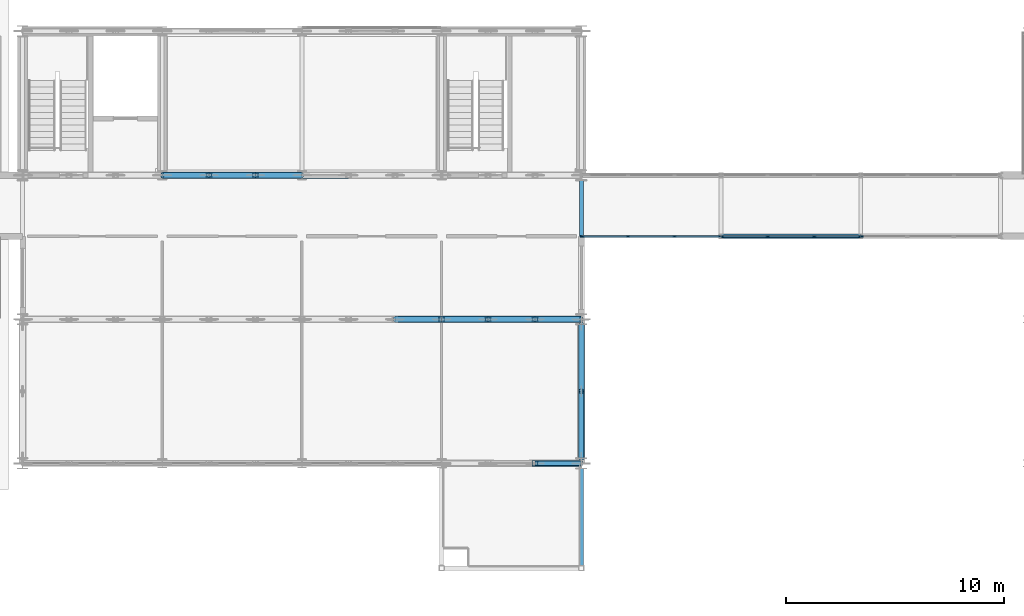
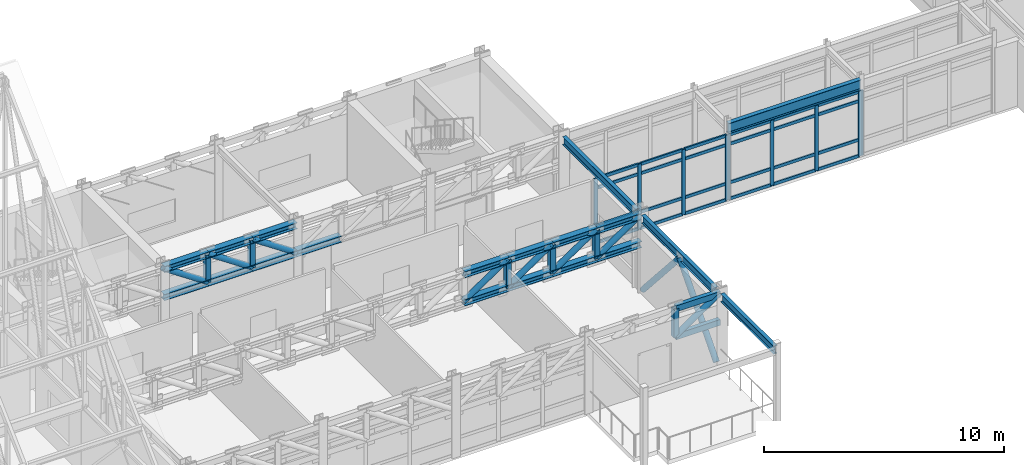
# One storey, part 65 of 144: 66 members, 4 beams, 3 elements without a shape of their own.
"""IFC4 building model written with IfcOpenShell, lengths in metres."""

from ifc_helpers import new_model, si_unit, direction, frame, origin, origin_2d, place, context, subcontext, project, spatial, rectangle, hollow_rectangle, hollow_circle, i_section, extrude, material, layer, layer_set, material_profile, profile_set, type_object, element, aggregate, save


model = new_model("IFC4")

# Units and contexts
model_context = context("Model", 3, precision=1e-05, world=origin(), true_north=direction((0.0, 1.0)))
body_context = subcontext(model_context, "Body", "Model", "MODEL_VIEW")
ifc_project = project(units=[si_unit("LENGTHUNIT", "METRE"), si_unit("AREAUNIT", "SQUARE_METRE"), si_unit("VOLUMEUNIT", "CUBIC_METRE"), si_unit("PLANEANGLEUNIT", "RADIAN"), si_unit("MASSUNIT", "GRAM", prefix="KILO")], contexts=[model_context])

# Site, building, storey
site_placement = place(None, origin())
site = spatial("IfcSite", under=ifc_project, at=site_placement, CompositionType="ELEMENT")
building_placement = place(site_placement, origin())
building = spatial("IfcBuilding", under=site, at=building_placement, Name="Trelmorton Wharf Fire Station", CompositionType="ELEMENT")
storey_placement = place(building_placement, frame((0.0, 0.0, 5.39990234375)))
storey = spatial("IfcBuildingStorey", under=building, at=storey_placement, Name="L01", CompositionType="ELEMENT", Elevation=5.39990234375)

# Beams
ifc_material_1 = material(Name="Steel Grade 350", Category="steel")
ifc_material_profile_1 = material_profile(ifc_material_1, i_section(OverallWidth=0.177978515625, OverallDepth=0.406005859375, WebThickness=0.0078125, FlangeThickness=0.0126953125, FilletRadius=0.011474609375, at=origin_2d()), Name="410UB59.7")
ifc_profile_set_1 = profile_set([ifc_material_profile_1], Name="Steel Grade 350")
beam_type_1 = type_object("IfcBeamType", Name="BM_410UB60", PredefinedType="BEAM", material=ifc_profile_set_1)
beam_1_placement = place(storey_placement, frame((83.60009765625, 3.12109375, 3.72705078125), z_axis=(0.0, 1.0, 0.0), x_axis=(-1.0, 0.0, 0.0)))
element("IfcBeam", 1, at=beam_1_placement, inside=storey, type_object=beam_type_1, Name="BM-L01-0601", PredefinedType="BEAM", context=body_context, shape_type="SweptSolid", body=[
    extrude(i_section(OverallWidth=0.177978515625, OverallDepth=0.406005859375, WebThickness=0.0078125, FlangeThickness=0.0126953125, FilletRadius=0.011474609375, at=origin_2d()), origin(), (0.0, 0.0, 1.0), 4.432861328125),
])
beam_2_placement = place(storey_placement, frame((83.60009765625, 8.0458984375, 3.72705078125), z_axis=(0.0, 1.0, 0.0), x_axis=(-1.0, 0.0, 0.0)))
element("IfcBeam", 2, at=beam_2_placement, inside=storey, type_object=beam_type_1, Name="BM-L01-0602", PredefinedType="BEAM", context=body_context, shape_type="SweptSolid", body=[
    extrude(i_section(OverallWidth=0.177978515625, OverallDepth=0.406005859375, WebThickness=0.0078125, FlangeThickness=0.0126953125, FilletRadius=0.011474609375, at=origin_2d()), origin(), (0.0, 0.0, 1.0), 6.108154296875),
])
beam_3_placement = place(storey_placement, frame((83.60009765625, 14.64599609375, 3.72705078125), z_axis=(0.0, 1.0, 0.0), x_axis=(-1.0, 0.0, 0.0)))
element("IfcBeam", 3, at=beam_3_placement, inside=storey, type_object=beam_type_1, Name="BM-L01-0603", PredefinedType="BEAM", context=body_context, shape_type="SweptSolid", body=[
    extrude(i_section(OverallWidth=0.177978515625, OverallDepth=0.406005859375, WebThickness=0.0078125, FlangeThickness=0.0126953125, FilletRadius=0.011474609375, at=origin_2d()), origin(), (0.0, 0.0, 1.0), 6.10791015625),
])
ifc_material_profile_2 = material_profile(ifc_material_1, i_section(OverallWidth=0.208984375, OverallDepth=0.528076171875, WebThickness=0.009521484375, FlangeThickness=0.01318359375, FilletRadius=0.013916015625, at=origin_2d()), Name="530UB82.0")
ifc_profile_set_2 = profile_set([ifc_material_profile_2], Name="Steel Grade 350")
beam_type_2 = type_object("IfcBeamType", Name="BM_530UB82", PredefinedType="BEAM", material=ifc_profile_set_2)
beam_4_placement = place(storey_placement, frame((90.00390625, 18.199951171875, 3.666015625), z_axis=(1.0, 0.0, 0.0), x_axis=(0.0, 1.0, 0.0)))
element("IfcBeam", 4, at=beam_4_placement, inside=storey, type_object=beam_type_2, Name="BM-L01-0434", PredefinedType="BEAM", context=body_context, shape_type="SweptSolid", body=[
    extrude(i_section(OverallWidth=0.208984375, OverallDepth=0.528076171875, WebThickness=0.009521484375, FlangeThickness=0.01318359375, FilletRadius=0.013916015625, at=origin_2d()), origin(), (0.0, 0.0, 1.0), 6.39208984375),
])

# Members
ifc_material_2 = material(Name="Steel C350L0 (350 MPa)", Category="steel")
ifc_material_profile_3 = material_profile(ifc_material_2, hollow_circle(Radius=0.136474609375, WallThickness=0.00927734375, at=origin_2d()), Name="273.1x9.3CHS")
ifc_profile_set_3 = profile_set([ifc_material_profile_3], Name="Steel C350L0 (350 MPa)")
member_type_1 = type_object("IfcMemberType", Name="BR_273CHS", PredefinedType="BRACE", material=ifc_profile_set_3)
for number, where, z_axis, x_axis, name in (
    (5, (83.60009765625, 8.047119140625, 0.1201171875), (0.0, 0.661630386629, 0.74983013509), (-1.0, 0.0, 0.0), "CBF-V3-E-L01-A"),
    (6, (83.60009765625, 14.153076171875, 0.1201171875), (0.0, -0.661630386629, 0.74983013509), (1.0, 0.0, 0.0), "CBF-V3-E-L01-B"),
):
    element("IfcMember", number, at=place(storey_placement, frame(where, z_axis=z_axis, x_axis=x_axis)), inside=storey, type_object=member_type_1, Name=name, PredefinedType="BRACE", context=body_context, shape_type="SweptSolid", body=[
        extrude(hollow_circle(Radius=0.136474609375, WallThickness=0.00927734375, at=origin_2d()), origin(), (0.0, 0.0, 1.0), 4.6142578125),
    ])

# Curtain wall, members
ifc_material_3 = material(Name="Anodised aluminium AW-6063", Category="aluminium")
ifc_layer = layer(ifc_material_3, 0.139892578125)
ifc_layer_set = layer_set([ifc_layer], Name="Anodised aluminium AW-6063")
curtain_wall_type = type_object("IfcCurtainWallType", Name="CW_BRDG_A", PredefinedType="USERDEFINED", material=ifc_layer_set)
curtain_wall_1_placement = place(storey_placement, origin())
curtain_wall_1 = element("IfcCurtainWall", 7, at=curtain_wall_1_placement, inside=storey, type_object=curtain_wall_type, Name="CW-BR-L01-154", ObjectType="UNITISED CURTAIN WALL", PredefinedType="USERDEFINED")
ifc_material_profile_4 = material_profile(ifc_material_3, rectangle(XDim=0.074951171875, YDim=0.175048828125, at=origin_2d()), Name="ALU-75x175")
ifc_profile_set_4 = profile_set([ifc_material_profile_4], Name="Anodised aluminium AW-6063")
member_type_2 = type_object("IfcMemberType", Name="CWM_75x175", PredefinedType="MULLION", material=ifc_profile_set_4)
member_1_placement = place(storey_placement, frame((89.965087890625, 18.199951171875, 0.0), z_axis=(0.0, 0.0, 1.0), x_axis=(0.0, -1.0, 0.0)))
member_1 = element("IfcMember", 8, at=member_1_placement, type_object=member_type_2, Name="CW4 mullion 1", PredefinedType="MULLION", context=body_context, shape_type="SweptSolid", body=[
    extrude(rectangle(XDim=0.074951171875, YDim=0.175048828125, at=origin_2d()), origin(), (0.0, 0.0, 1.0), 3.320068359375),
])
member_2_placement = place(storey_placement, frame((87.864990234375, 18.199951171875, 0.0), z_axis=(0.0, 0.0, 1.0), x_axis=(0.0, -1.0, 0.0)))
member_2 = element("IfcMember", 9, at=member_2_placement, type_object=member_type_2, Name="CW4 mullion 2", PredefinedType="MULLION", context=body_context, shape_type="SweptSolid", body=[
    extrude(rectangle(XDim=0.074951171875, YDim=0.175048828125, at=origin_2d()), origin(), (0.0, 0.0, 1.0), 3.320068359375),
])
member_3_placement = place(storey_placement, frame((85.735107421875, 18.199951171875, 0.0), z_axis=(0.0, 0.0, 1.0), x_axis=(0.0, -1.0, 0.0)))
member_3 = element("IfcMember", 10, at=member_3_placement, type_object=member_type_2, Name="CW4 mullion 3", PredefinedType="MULLION", context=body_context, shape_type="SweptSolid", body=[
    extrude(rectangle(XDim=0.074951171875, YDim=0.175048828125, at=origin_2d()), origin(), (0.0, 0.0, 1.0), 3.320068359375),
])
member_4_placement = place(storey_placement, frame((83.635009765625, 18.199951171875, 0.0), z_axis=(0.0, 0.0, 1.0), x_axis=(0.0, -1.0, 0.0)))
member_4 = element("IfcMember", 11, at=member_4_placement, type_object=member_type_2, Name="CW4 mullion 4", PredefinedType="MULLION", context=body_context, shape_type="SweptSolid", body=[
    extrude(rectangle(XDim=0.074951171875, YDim=0.175048828125, at=origin_2d()), origin(), (0.0, 0.0, 1.0), 3.320068359375),
])

curtain_wall_2_placement = place(storey_placement, origin())
curtain_wall_2 = element("IfcCurtainWall", 12, at=curtain_wall_2_placement, inside=storey, type_object=curtain_wall_type, Name="CW-BR-L01-156", ObjectType="UNITISED CURTAIN WALL", PredefinedType="USERDEFINED")
member_5_placement = place(storey_placement, frame((96.364990234375, 18.199951171875, 0.0), z_axis=(0.0, 0.0, 1.0), x_axis=(0.0, -1.0, 0.0)))
member_5 = element("IfcMember", 13, at=member_5_placement, type_object=member_type_2, Name="CW4 mullion 1", PredefinedType="MULLION", context=body_context, shape_type="SweptSolid", body=[
    extrude(rectangle(XDim=0.074951171875, YDim=0.175048828125, at=origin_2d()), origin(), (0.0, 0.0, 1.0), 3.320068359375),
])
member_6_placement = place(storey_placement, frame((94.264892578125, 18.199951171875, 0.0), z_axis=(0.0, 0.0, 1.0), x_axis=(0.0, -1.0, 0.0)))
member_6 = element("IfcMember", 14, at=member_6_placement, type_object=member_type_2, Name="CW4 mullion 2", PredefinedType="MULLION", context=body_context, shape_type="SweptSolid", body=[
    extrude(rectangle(XDim=0.074951171875, YDim=0.175048828125, at=origin_2d()), origin(), (0.0, 0.0, 1.0), 3.320068359375),
])
member_7_placement = place(storey_placement, frame((92.135009765625, 18.199951171875, 0.0), z_axis=(0.0, 0.0, 1.0), x_axis=(0.0, -1.0, 0.0)))
member_7 = element("IfcMember", 15, at=member_7_placement, type_object=member_type_2, Name="CW4 mullion 3", PredefinedType="MULLION", context=body_context, shape_type="SweptSolid", body=[
    extrude(rectangle(XDim=0.074951171875, YDim=0.175048828125, at=origin_2d()), origin(), (0.0, 0.0, 1.0), 3.320068359375),
])
member_8_placement = place(storey_placement, frame((90.034912109375, 18.199951171875, 0.0), z_axis=(0.0, 0.0, 1.0), x_axis=(0.0, -1.0, 0.0)))
member_8 = element("IfcMember", 16, at=member_8_placement, type_object=member_type_2, Name="CW4 mullion 4", PredefinedType="MULLION", context=body_context, shape_type="SweptSolid", body=[
    extrude(rectangle(XDim=0.074951171875, YDim=0.175048828125, at=origin_2d()), origin(), (0.0, 0.0, 1.0), 3.320068359375),
])

# Curtain wall, member
curtain_wall_3_placement = place(storey_placement, origin())
curtain_wall_3 = element("IfcCurtainWall", 17, at=curtain_wall_3_placement, inside=storey, type_object=curtain_wall_type, Name="CW-BR-L01-158", ObjectType="UNITISED CURTAIN WALL", PredefinedType="USERDEFINED")
member_9_placement = place(storey_placement, frame((96.43505859375, 18.199951171875, 0.0), z_axis=(0.0, 0.0, 1.0), x_axis=(0.0, -1.0, 0.0)))
member_9 = element("IfcMember", 18, at=member_9_placement, type_object=member_type_2, Name="CW4 mullion 4", PredefinedType="MULLION", context=body_context, shape_type="SweptSolid", body=[
    extrude(rectangle(XDim=0.074951171875, YDim=0.175048828125, at=origin_2d()), origin(), (0.0, 0.0, 1.0), 3.320068359375),
])
aggregate(curtain_wall_3, [member_9])

# Member
ifc_material_profile_5 = material_profile(ifc_material_3, rectangle(XDim=0.074951171875, YDim=0.155029296875, at=origin_2d()), Name="ALU-75x155")
ifc_profile_set_5 = profile_set([ifc_material_profile_5], Name="Anodised aluminium AW-6063")
member_type_3 = type_object("IfcMemberType", Name="CWT_75x155", PredefinedType="USERDEFINED", material=ifc_profile_set_5)
member_10_placement = place(storey_placement, frame((89.93505859375, 18.199951171875, 0.030029296875), z_axis=(-1.0, 0.0, 0.0), x_axis=(0.0, -1.0, 0.0)))
member_10 = element("IfcMember", 19, at=member_10_placement, type_object=member_type_3, Name="CW4 transom 1.1", ObjectType="TRANSOM", PredefinedType="USERDEFINED", context=body_context, shape_type="SweptSolid", body=[
    extrude(rectangle(XDim=0.074951171875, YDim=0.155029296875, at=origin_2d()), origin(), (0.0, 0.0, 1.0), 2.0400390625),
])

member_11_placement = place(storey_placement, frame((89.93505859375, 18.199951171875, 0.85009765625), z_axis=(-1.0, 0.0, 0.0), x_axis=(0.0, -1.0, 0.0)))
member_11 = element("IfcMember", 20, at=member_11_placement, type_object=member_type_3, Name="CW4 transom 1.2", ObjectType="TRANSOM", PredefinedType="USERDEFINED", context=body_context, shape_type="SweptSolid", body=[
    extrude(rectangle(XDim=0.074951171875, YDim=0.155029296875, at=origin_2d()), origin(), (0.0, 0.0, 1.0), 2.0400390625),
])

member_12_placement = place(storey_placement, frame((89.93505859375, 18.199951171875, 2.820068359375), z_axis=(-1.0, 0.0, 0.0), x_axis=(0.0, -1.0, 0.0)))
member_12 = element("IfcMember", 21, at=member_12_placement, type_object=member_type_3, Name="CW4 transom 1.3", ObjectType="TRANSOM", PredefinedType="USERDEFINED", context=body_context, shape_type="SweptSolid", body=[
    extrude(rectangle(XDim=0.074951171875, YDim=0.155029296875, at=origin_2d()), origin(), (0.0, 0.0, 1.0), 2.0400390625),
])

member_13_placement = place(storey_placement, frame((89.93505859375, 18.199951171875, 3.2900390625), z_axis=(-1.0, 0.0, 0.0), x_axis=(0.0, -1.0, 0.0)))
member_13 = element("IfcMember", 22, at=member_13_placement, type_object=member_type_3, Name="CW4 transom 1.4", ObjectType="TRANSOM", PredefinedType="USERDEFINED", context=body_context, shape_type="SweptSolid", body=[
    extrude(rectangle(XDim=0.074951171875, YDim=0.155029296875, at=origin_2d()), origin(), (0.0, 0.0, 1.0), 2.0400390625),
])

member_14_placement = place(storey_placement, frame((87.8349609375, 18.199951171875, 0.030029296875), z_axis=(-1.0, 0.0, 0.0), x_axis=(0.0, -1.0, 0.0)))
member_14 = element("IfcMember", 23, at=member_14_placement, type_object=member_type_3, Name="CW4 transom 2.1", ObjectType="TRANSOM", PredefinedType="USERDEFINED", context=body_context, shape_type="SweptSolid", body=[
    extrude(rectangle(XDim=0.074951171875, YDim=0.155029296875, at=origin_2d()), origin(), (0.0, 0.0, 1.0), 2.070068359375),
])

member_15_placement = place(storey_placement, frame((87.8349609375, 18.199951171875, 0.85009765625), z_axis=(-1.0, 0.0, 0.0), x_axis=(0.0, -1.0, 0.0)))
member_15 = element("IfcMember", 24, at=member_15_placement, type_object=member_type_3, Name="CW4 transom 2.2", ObjectType="TRANSOM", PredefinedType="USERDEFINED", context=body_context, shape_type="SweptSolid", body=[
    extrude(rectangle(XDim=0.074951171875, YDim=0.155029296875, at=origin_2d()), origin(), (0.0, 0.0, 1.0), 2.070068359375),
])

member_16_placement = place(storey_placement, frame((87.8349609375, 18.199951171875, 2.820068359375), z_axis=(-1.0, 0.0, 0.0), x_axis=(0.0, -1.0, 0.0)))
member_16 = element("IfcMember", 25, at=member_16_placement, type_object=member_type_3, Name="CW4 transom 2.3", ObjectType="TRANSOM", PredefinedType="USERDEFINED", context=body_context, shape_type="SweptSolid", body=[
    extrude(rectangle(XDim=0.074951171875, YDim=0.155029296875, at=origin_2d()), origin(), (0.0, 0.0, 1.0), 2.070068359375),
])

member_17_placement = place(storey_placement, frame((87.8349609375, 18.199951171875, 3.2900390625), z_axis=(-1.0, 0.0, 0.0), x_axis=(0.0, -1.0, 0.0)))
member_17 = element("IfcMember", 26, at=member_17_placement, type_object=member_type_3, Name="CW4 transom 2.4", ObjectType="TRANSOM", PredefinedType="USERDEFINED", context=body_context, shape_type="SweptSolid", body=[
    extrude(rectangle(XDim=0.074951171875, YDim=0.155029296875, at=origin_2d()), origin(), (0.0, 0.0, 1.0), 2.070068359375),
])

member_18_placement = place(storey_placement, frame((85.705078125, 18.199951171875, 0.030029296875), z_axis=(-1.0, 0.0, 0.0), x_axis=(0.0, -1.0, 0.0)))
member_18 = element("IfcMember", 27, at=member_18_placement, type_object=member_type_3, Name="CW4 transom 3.1", ObjectType="TRANSOM", PredefinedType="USERDEFINED", context=body_context, shape_type="SweptSolid", body=[
    extrude(rectangle(XDim=0.074951171875, YDim=0.155029296875, at=origin_2d()), origin(), (0.0, 0.0, 1.0), 2.0400390625),
])

member_19_placement = place(storey_placement, frame((85.705078125, 18.199951171875, 0.85009765625), z_axis=(-1.0, 0.0, 0.0), x_axis=(0.0, -1.0, 0.0)))
member_19 = element("IfcMember", 28, at=member_19_placement, type_object=member_type_3, Name="CW4 transom 3.2", ObjectType="TRANSOM", PredefinedType="USERDEFINED", context=body_context, shape_type="SweptSolid", body=[
    extrude(rectangle(XDim=0.074951171875, YDim=0.155029296875, at=origin_2d()), origin(), (0.0, 0.0, 1.0), 2.0400390625),
])

member_20_placement = place(storey_placement, frame((85.705078125, 18.199951171875, 2.820068359375), z_axis=(-1.0, 0.0, 0.0), x_axis=(0.0, -1.0, 0.0)))
member_20 = element("IfcMember", 29, at=member_20_placement, type_object=member_type_3, Name="CW4 transom 3.3", ObjectType="TRANSOM", PredefinedType="USERDEFINED", context=body_context, shape_type="SweptSolid", body=[
    extrude(rectangle(XDim=0.074951171875, YDim=0.155029296875, at=origin_2d()), origin(), (0.0, 0.0, 1.0), 2.0400390625),
])

member_21_placement = place(storey_placement, frame((85.705078125, 18.199951171875, 3.2900390625), z_axis=(-1.0, 0.0, 0.0), x_axis=(0.0, -1.0, 0.0)))
member_21 = element("IfcMember", 30, at=member_21_placement, type_object=member_type_3, Name="CW4 transom 3.4", ObjectType="TRANSOM", PredefinedType="USERDEFINED", context=body_context, shape_type="SweptSolid", body=[
    extrude(rectangle(XDim=0.074951171875, YDim=0.155029296875, at=origin_2d()), origin(), (0.0, 0.0, 1.0), 2.0400390625),
])

aggregate(curtain_wall_1, [member_1, member_2, member_3, member_4, member_10, member_11, member_12, member_13, member_14, member_15, member_16, member_17, member_18, member_19, member_20, member_21])

member_22_placement = place(storey_placement, frame((96.3349609375, 18.199951171875, 0.030029296875), z_axis=(-1.0, 0.0, 0.0), x_axis=(0.0, -1.0, 0.0)))
member_22 = element("IfcMember", 31, at=member_22_placement, type_object=member_type_3, Name="CW4 transom 1.1", ObjectType="TRANSOM", PredefinedType="USERDEFINED", context=body_context, shape_type="SweptSolid", body=[
    extrude(rectangle(XDim=0.074951171875, YDim=0.155029296875, at=origin_2d()), origin(), (0.0, 0.0, 1.0), 2.0400390625),
])

member_23_placement = place(storey_placement, frame((96.3349609375, 18.199951171875, 0.85009765625), z_axis=(-1.0, 0.0, 0.0), x_axis=(0.0, -1.0, 0.0)))
member_23 = element("IfcMember", 32, at=member_23_placement, type_object=member_type_3, Name="CW4 transom 1.2", ObjectType="TRANSOM", PredefinedType="USERDEFINED", context=body_context, shape_type="SweptSolid", body=[
    extrude(rectangle(XDim=0.074951171875, YDim=0.155029296875, at=origin_2d()), origin(), (0.0, 0.0, 1.0), 2.0400390625),
])

member_24_placement = place(storey_placement, frame((96.3349609375, 18.199951171875, 2.820068359375), z_axis=(-1.0, 0.0, 0.0), x_axis=(0.0, -1.0, 0.0)))
member_24 = element("IfcMember", 33, at=member_24_placement, type_object=member_type_3, Name="CW4 transom 1.3", ObjectType="TRANSOM", PredefinedType="USERDEFINED", context=body_context, shape_type="SweptSolid", body=[
    extrude(rectangle(XDim=0.074951171875, YDim=0.155029296875, at=origin_2d()), origin(), (0.0, 0.0, 1.0), 2.0400390625),
])

member_25_placement = place(storey_placement, frame((96.3349609375, 18.199951171875, 3.2900390625), z_axis=(-1.0, 0.0, 0.0), x_axis=(0.0, -1.0, 0.0)))
member_25 = element("IfcMember", 34, at=member_25_placement, type_object=member_type_3, Name="CW4 transom 1.4", ObjectType="TRANSOM", PredefinedType="USERDEFINED", context=body_context, shape_type="SweptSolid", body=[
    extrude(rectangle(XDim=0.074951171875, YDim=0.155029296875, at=origin_2d()), origin(), (0.0, 0.0, 1.0), 2.0400390625),
])

member_26_placement = place(storey_placement, frame((94.235107421875, 18.199951171875, 0.030029296875), z_axis=(-1.0, 0.0, 0.0), x_axis=(0.0, -1.0, 0.0)))
member_26 = element("IfcMember", 35, at=member_26_placement, type_object=member_type_3, Name="CW4 transom 2.1", ObjectType="TRANSOM", PredefinedType="USERDEFINED", context=body_context, shape_type="SweptSolid", body=[
    extrude(rectangle(XDim=0.074951171875, YDim=0.155029296875, at=origin_2d()), origin(), (0.0, 0.0, 1.0), 2.070068359375),
])

member_27_placement = place(storey_placement, frame((94.235107421875, 18.199951171875, 0.85009765625), z_axis=(-1.0, 0.0, 0.0), x_axis=(0.0, -1.0, 0.0)))
member_27 = element("IfcMember", 36, at=member_27_placement, type_object=member_type_3, Name="CW4 transom 2.2", ObjectType="TRANSOM", PredefinedType="USERDEFINED", context=body_context, shape_type="SweptSolid", body=[
    extrude(rectangle(XDim=0.074951171875, YDim=0.155029296875, at=origin_2d()), origin(), (0.0, 0.0, 1.0), 2.070068359375),
])

member_28_placement = place(storey_placement, frame((94.235107421875, 18.199951171875, 2.820068359375), z_axis=(-1.0, 0.0, 0.0), x_axis=(0.0, -1.0, 0.0)))
member_28 = element("IfcMember", 37, at=member_28_placement, type_object=member_type_3, Name="CW4 transom 2.3", ObjectType="TRANSOM", PredefinedType="USERDEFINED", context=body_context, shape_type="SweptSolid", body=[
    extrude(rectangle(XDim=0.074951171875, YDim=0.155029296875, at=origin_2d()), origin(), (0.0, 0.0, 1.0), 2.070068359375),
])

member_29_placement = place(storey_placement, frame((94.235107421875, 18.199951171875, 3.2900390625), z_axis=(-1.0, 0.0, 0.0), x_axis=(0.0, -1.0, 0.0)))
member_29 = element("IfcMember", 38, at=member_29_placement, type_object=member_type_3, Name="CW4 transom 2.4", ObjectType="TRANSOM", PredefinedType="USERDEFINED", context=body_context, shape_type="SweptSolid", body=[
    extrude(rectangle(XDim=0.074951171875, YDim=0.155029296875, at=origin_2d()), origin(), (0.0, 0.0, 1.0), 2.070068359375),
])

member_30_placement = place(storey_placement, frame((92.10498046875, 18.199951171875, 0.030029296875), z_axis=(-1.0, 0.0, 0.0), x_axis=(0.0, -1.0, 0.0)))
member_30 = element("IfcMember", 39, at=member_30_placement, type_object=member_type_3, Name="CW4 transom 3.1", ObjectType="TRANSOM", PredefinedType="USERDEFINED", context=body_context, shape_type="SweptSolid", body=[
    extrude(rectangle(XDim=0.074951171875, YDim=0.155029296875, at=origin_2d()), origin(), (0.0, 0.0, 1.0), 2.0400390625),
])

member_31_placement = place(storey_placement, frame((92.10498046875, 18.199951171875, 0.85009765625), z_axis=(-1.0, 0.0, 0.0), x_axis=(0.0, -1.0, 0.0)))
member_31 = element("IfcMember", 40, at=member_31_placement, type_object=member_type_3, Name="CW4 transom 3.2", ObjectType="TRANSOM", PredefinedType="USERDEFINED", context=body_context, shape_type="SweptSolid", body=[
    extrude(rectangle(XDim=0.074951171875, YDim=0.155029296875, at=origin_2d()), origin(), (0.0, 0.0, 1.0), 2.0400390625),
])

member_32_placement = place(storey_placement, frame((92.10498046875, 18.199951171875, 2.820068359375), z_axis=(-1.0, 0.0, 0.0), x_axis=(0.0, -1.0, 0.0)))
member_32 = element("IfcMember", 41, at=member_32_placement, type_object=member_type_3, Name="CW4 transom 3.3", ObjectType="TRANSOM", PredefinedType="USERDEFINED", context=body_context, shape_type="SweptSolid", body=[
    extrude(rectangle(XDim=0.074951171875, YDim=0.155029296875, at=origin_2d()), origin(), (0.0, 0.0, 1.0), 2.0400390625),
])

member_33_placement = place(storey_placement, frame((92.10498046875, 18.199951171875, 3.2900390625), z_axis=(-1.0, 0.0, 0.0), x_axis=(0.0, -1.0, 0.0)))
member_33 = element("IfcMember", 42, at=member_33_placement, type_object=member_type_3, Name="CW4 transom 3.4", ObjectType="TRANSOM", PredefinedType="USERDEFINED", context=body_context, shape_type="SweptSolid", body=[
    extrude(rectangle(XDim=0.074951171875, YDim=0.155029296875, at=origin_2d()), origin(), (0.0, 0.0, 1.0), 2.0400390625),
])

aggregate(curtain_wall_2, [member_5, member_6, member_7, member_8, member_22, member_23, member_24, member_25, member_26, member_27, member_28, member_29, member_30, member_31, member_32, member_33])

# Members
ifc_material_4 = material(Name="Steel C450L0 (450 MPa)", Category="steel")
ifc_material_profile_6 = material_profile(ifc_material_4, hollow_rectangle(XDim=0.199951171875, YDim=0.300048828125, WallThickness=0.012451171875, at=origin_2d()), Name="300x200x12.5RHS")
ifc_profile_set_6 = profile_set([ifc_material_profile_6], Name="Steel C450L0 (450 MPa)")
member_type_4 = type_object("IfcMemberType", Name="TR_CHORD_300RHS", PredefinedType="CHORD", material=ifc_profile_set_6)
for number, where, z_axis, x_axis, name in (
    (43, (81.466796875, 7.800048828125, 2.35009765625), (1.0, 0.0, 0.0), (0.0, 1.0, 0.0), "Transfer Truss TT1 Bottom Chord 12"),
    (44, (81.466796875, 7.800048828125, 3.780029296875), (1.0, 0.0, 0.0), (0.0, 1.0, 0.0), "Transfer Truss TT1 Top Chord 12"),
):
    element("IfcMember", number, at=place(storey_placement, frame(where, z_axis=z_axis, x_axis=x_axis)), inside=storey, type_object=member_type_4, Name=name, PredefinedType="CHORD", context=body_context, shape_type="SweptSolid", body=[
        extrude(hollow_rectangle(XDim=0.199951171875, YDim=0.300048828125, WallThickness=0.012451171875, at=origin_2d()), origin(), (0.0, 0.0, 1.0), 2.125244140625),
    ])
ifc_material_profile_7 = material_profile(ifc_material_1, i_section(OverallWidth=0.306884765625, OverallDepth=0.31494140625, WebThickness=0.011962890625, FlangeThickness=0.018798828125, FilletRadius=0.0166015625, at=origin_2d()), Name="310UC118")
ifc_profile_set_7 = profile_set([ifc_material_profile_7], Name="Steel Grade 350")
member_type_5 = type_object("IfcMemberType", Name="TR_CHORD_310UC", PredefinedType="CHORD", material=ifc_profile_set_7)
for number, where, z_axis, x_axis, name in (
    (45, (75.066650390625, 14.39990234375, 2.35009765625), (1.0, 0.0, 0.0), (0.0, 1.0, 0.0), "Transfer Truss TT2 Bottom Chord 9"),
    (46, (75.066650390625, 14.39990234375, 3.780029296875), (1.0, 0.0, 0.0), (0.0, 1.0, 0.0), "Transfer Truss TT2 Top Chord 9"),
    (47, (77.199951171875, 14.39990234375, 2.35009765625), (1.0, 0.0, 0.0), (0.0, 1.0, 0.0), "Transfer Truss TT2 Bottom Chord 10"),
    (48, (77.199951171875, 14.39990234375, 3.780029296875), (1.0, 0.0, 0.0), (0.0, 1.0, 0.0), "Transfer Truss TT2 Top Chord 10"),
):
    element("IfcMember", number, at=place(storey_placement, frame(where, z_axis=z_axis, x_axis=x_axis)), inside=storey, type_object=member_type_5, Name=name, PredefinedType="CHORD", context=body_context, shape_type="SweptSolid", body=[
        extrude(i_section(OverallWidth=0.306884765625, OverallDepth=0.31494140625, WebThickness=0.011962890625, FlangeThickness=0.018798828125, FilletRadius=0.0166015625, at=origin_2d()), origin(), (0.0, 0.0, 1.0), 2.13330078125),
    ])
for number, where, z_axis, x_axis, name in (
    (49, (79.333251953125, 14.39990234375, 2.35009765625), (1.0, 0.0, 0.0), (0.0, 1.0, 0.0), "Transfer Truss TT2 Bottom Chord 11"),
    (50, (79.333251953125, 14.39990234375, 3.780029296875), (1.0, 0.0, 0.0), (0.0, 1.0, 0.0), "Transfer Truss TT2 Top Chord 11"),
):
    element("IfcMember", number, at=place(storey_placement, frame(where, z_axis=z_axis, x_axis=x_axis)), inside=storey, type_object=member_type_5, Name=name, PredefinedType="CHORD", context=body_context, shape_type="SweptSolid", body=[
        extrude(i_section(OverallWidth=0.306884765625, OverallDepth=0.31494140625, WebThickness=0.011962890625, FlangeThickness=0.018798828125, FilletRadius=0.0166015625, at=origin_2d()), origin(), (0.0, 0.0, 1.0), 2.133544921875),
    ])
for number, where, z_axis, x_axis, name in (
    (51, (81.466796875, 14.39990234375, 2.35009765625), (1.0, 0.0, 0.0), (0.0, 1.0, 0.0), "Transfer Truss TT2 Bottom Chord 12"),
    (52, (81.466796875, 14.39990234375, 3.780029296875), (1.0, 0.0, 0.0), (0.0, 1.0, 0.0), "Transfer Truss TT2 Top Chord 12"),
):
    element("IfcMember", number, at=place(storey_placement, frame(where, z_axis=z_axis, x_axis=x_axis)), inside=storey, type_object=member_type_5, Name=name, PredefinedType="CHORD", context=body_context, shape_type="SweptSolid", body=[
        extrude(i_section(OverallWidth=0.306884765625, OverallDepth=0.31494140625, WebThickness=0.011962890625, FlangeThickness=0.018798828125, FilletRadius=0.0166015625, at=origin_2d()), origin(), (0.0, 0.0, 1.0), 2.125244140625),
    ])
for number, where, z_axis, x_axis, name in (
    (53, (64.39990234375, 21.0, 2.35009765625), (1.0, 0.0, 0.0), (0.0, 1.0, 0.0), "Transfer Truss TT3 Bottom Chord 4"),
    (54, (64.39990234375, 21.0, 3.780029296875), (1.0, 0.0, 0.0), (0.0, 1.0, 0.0), "Transfer Truss TT3 Top Chord 4"),
):
    element("IfcMember", number, at=place(storey_placement, frame(where, z_axis=z_axis, x_axis=x_axis)), inside=storey, type_object=member_type_5, Name=name, PredefinedType="CHORD", context=body_context, shape_type="SweptSolid", body=[
        extrude(i_section(OverallWidth=0.306884765625, OverallDepth=0.31494140625, WebThickness=0.011962890625, FlangeThickness=0.018798828125, FilletRadius=0.0166015625, at=origin_2d()), origin(), (0.0, 0.0, 1.0), 2.13330078125),
    ])
for number, where, z_axis, x_axis, name in (
    (55, (66.533203125, 21.0, 2.35009765625), (1.0, 0.0, 0.0), (0.0, 1.0, 0.0), "Transfer Truss TT3 Bottom Chord 5"),
    (56, (66.533203125, 21.0, 3.780029296875), (1.0, 0.0, 0.0), (0.0, 1.0, 0.0), "Transfer Truss TT3 Top Chord 5"),
):
    element("IfcMember", number, at=place(storey_placement, frame(where, z_axis=z_axis, x_axis=x_axis)), inside=storey, type_object=member_type_5, Name=name, PredefinedType="CHORD", context=body_context, shape_type="SweptSolid", body=[
        extrude(i_section(OverallWidth=0.306884765625, OverallDepth=0.31494140625, WebThickness=0.011962890625, FlangeThickness=0.018798828125, FilletRadius=0.0166015625, at=origin_2d()), origin(), (0.0, 0.0, 1.0), 2.133544921875),
    ])
for number, where, z_axis, x_axis, name in (
    (57, (68.666748046875, 21.0, 2.35009765625), (1.0, 0.0, 0.0), (0.0, 1.0, 0.0), "Transfer Truss TT3 Bottom Chord 6"),
    (58, (68.666748046875, 21.0, 3.780029296875), (1.0, 0.0, 0.0), (0.0, 1.0, 0.0), "Transfer Truss TT3 Top Chord 6"),
    (59, (70.800048828125, 21.0, 2.35009765625), (1.0, 0.0, 0.0), (0.0, 1.0, 0.0), "Transfer Truss TT3 Bottom Chord 7"),
):
    element("IfcMember", number, at=place(storey_placement, frame(where, z_axis=z_axis, x_axis=x_axis)), inside=storey, type_object=member_type_5, Name=name, PredefinedType="CHORD", context=body_context, shape_type="SweptSolid", body=[
        extrude(i_section(OverallWidth=0.306884765625, OverallDepth=0.31494140625, WebThickness=0.011962890625, FlangeThickness=0.018798828125, FilletRadius=0.0166015625, at=origin_2d()), origin(), (0.0, 0.0, 1.0), 2.13330078125),
    ])
ifc_material_profile_8 = material_profile(ifc_material_2, hollow_circle(Radius=0.136474609375, WallThickness=0.00927734375, at=origin_2d()), Name="273.1x9.3CHS")
ifc_profile_set_8 = profile_set([ifc_material_profile_8], Name="Steel C350L0 (350 MPa)")
member_type_6 = type_object("IfcMemberType", Name="TR_DIAG_273CHS", PredefinedType="STRUT", material=ifc_profile_set_8)
member_34_placement = place(storey_placement, frame((81.466796875, 7.800048828125, 2.35009765625), z_axis=(0.829681979405, 0.0, 0.558236341571), x_axis=(0.0, 1.0, 0.0)))
element("IfcMember", 60, at=member_34_placement, inside=storey, type_object=member_type_6, Name="TT1-DG-12", PredefinedType="STRUT", context=body_context, shape_type="SweptSolid", body=[
    extrude(hollow_circle(Radius=0.136474609375, WallThickness=0.00927734375, at=origin_2d()), origin(), (0.0, 0.0, 1.0), 2.5615234375),
])
for number, where, z_axis, x_axis, name in (
    (61, (75.066650390625, 14.39990234375, 2.35009765625), (0.830658305664, 0.0, 0.556782524179), (0.0, 1.0, 0.0), "TT2-DG-9"),
    (62, (77.199951171875, 14.39990234375, 2.35009765625), (0.830658305664, 0.0, 0.556782524179), (0.0, 1.0, 0.0), "TT2-DG-10"),
):
    element("IfcMember", number, at=place(storey_placement, frame(where, z_axis=z_axis, x_axis=x_axis)), inside=storey, type_object=member_type_6, Name=name, PredefinedType="STRUT", context=body_context, shape_type="SweptSolid", body=[
        extrude(hollow_circle(Radius=0.136474609375, WallThickness=0.00927734375, at=origin_2d()), origin(), (0.0, 0.0, 1.0), 2.568115234375),
    ])
member_35_placement = place(storey_placement, frame((79.333251953125, 14.39990234375, 2.35009765625), z_axis=(0.830687772271, 0.0, 0.556738560727), x_axis=(0.0, 1.0, 0.0)))
element("IfcMember", 63, at=member_35_placement, inside=storey, type_object=member_type_6, Name="TT2-DG-11", PredefinedType="STRUT", context=body_context, shape_type="SweptSolid", body=[
    extrude(hollow_circle(Radius=0.136474609375, WallThickness=0.00927734375, at=origin_2d()), origin(), (0.0, 0.0, 1.0), 2.568359375),
])
member_36_placement = place(storey_placement, frame((81.466796875, 14.39990234375, 2.35009765625), z_axis=(0.829681979405, 0.0, 0.558236341571), x_axis=(0.0, 1.0, 0.0)))
element("IfcMember", 64, at=member_36_placement, inside=storey, type_object=member_type_6, Name="TT2-DG-12", PredefinedType="STRUT", context=body_context, shape_type="SweptSolid", body=[
    extrude(hollow_circle(Radius=0.136474609375, WallThickness=0.00927734375, at=origin_2d()), origin(), (0.0, 0.0, 1.0), 2.5615234375),
])
member_37_placement = place(storey_placement, frame((64.39990234375, 21.0, 3.780029296875), z_axis=(0.830658305664, 0.0, -0.556782524179), x_axis=(0.0, 1.0, 0.0)))
element("IfcMember", 65, at=member_37_placement, inside=storey, type_object=member_type_6, Name="TT3-DG-4", PredefinedType="STRUT", context=body_context, shape_type="SweptSolid", body=[
    extrude(hollow_circle(Radius=0.136474609375, WallThickness=0.00927734375, at=origin_2d()), origin(), (0.0, 0.0, 1.0), 2.568115234375),
])
member_38_placement = place(storey_placement, frame((66.533203125, 21.0, 3.780029296875), z_axis=(0.830687772271, 0.0, -0.556738560727), x_axis=(0.0, 1.0, 0.0)))
element("IfcMember", 66, at=member_38_placement, inside=storey, type_object=member_type_6, Name="TT3-DG-5", PredefinedType="STRUT", context=body_context, shape_type="SweptSolid", body=[
    extrude(hollow_circle(Radius=0.136474609375, WallThickness=0.00927734375, at=origin_2d()), origin(), (0.0, 0.0, 1.0), 2.568359375),
])
member_39_placement = place(storey_placement, frame((68.666748046875, 21.0, 3.780029296875), z_axis=(0.830658305664, 0.0, -0.556782524179), x_axis=(0.0, 1.0, 0.0)))
element("IfcMember", 67, at=member_39_placement, inside=storey, type_object=member_type_6, Name="TT3-DG-6", PredefinedType="STRUT", context=body_context, shape_type="SweptSolid", body=[
    extrude(hollow_circle(Radius=0.136474609375, WallThickness=0.00927734375, at=origin_2d()), origin(), (0.0, 0.0, 1.0), 2.568115234375),
])
ifc_material_profile_9 = material_profile(ifc_material_4, hollow_rectangle(XDim=0.25, YDim=0.25, WallThickness=0.012451171875, at=origin_2d()), Name="250x250x12.5SHS")
ifc_profile_set_9 = profile_set([ifc_material_profile_9], Name="Steel C450L0 (450 MPa)")
member_type_7 = type_object("IfcMemberType", Name="TR_POST_250SHS", PredefinedType="POST", material=ifc_profile_set_9)
for number, where, z_axis, x_axis, name in (
    (68, (81.466796875, 7.800048828125, 2.35009765625), (0.0, 0.0, 1.0), (1.0, 0.0, 0.0), "TT1-VP-11"),
    (69, (77.199951171875, 14.39990234375, 2.35009765625), (0.0, 0.0, 1.0), (1.0, 0.0, 0.0), "TT2-VP-9"),
    (70, (79.333251953125, 14.39990234375, 2.35009765625), (0.0, 0.0, 1.0), (1.0, 0.0, 0.0), "TT2-VP-10"),
    (71, (81.466796875, 14.39990234375, 2.35009765625), (0.0, 0.0, 1.0), (1.0, 0.0, 0.0), "TT2-VP-11"),
    (72, (66.533203125, 21.0, 2.35009765625), (0.0, 0.0, 1.0), (1.0, 0.0, 0.0), "TT3-VP-4"),
    (73, (68.666748046875, 21.0, 2.35009765625), (0.0, 0.0, 1.0), (1.0, 0.0, 0.0), "TT3-VP-5"),
):
    element("IfcMember", number, at=place(storey_placement, frame(where, z_axis=z_axis, x_axis=x_axis)), inside=storey, type_object=member_type_7, Name=name, PredefinedType="POST", context=body_context, shape_type="SweptSolid", body=[
        extrude(hollow_rectangle(XDim=0.25, YDim=0.25, WallThickness=0.012451171875, at=origin_2d()), origin(), (0.0, 0.0, 1.0), 1.429931640625),
    ])

save(model, "model.ifc")
